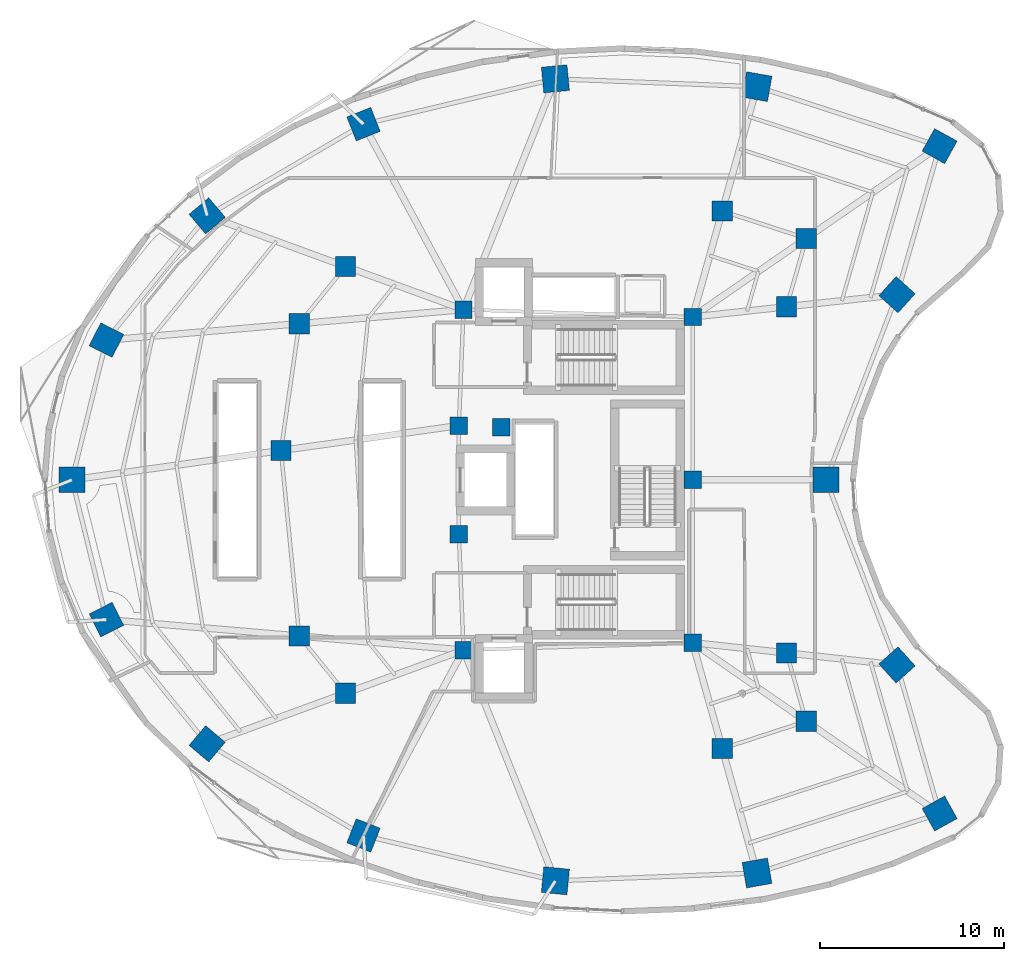
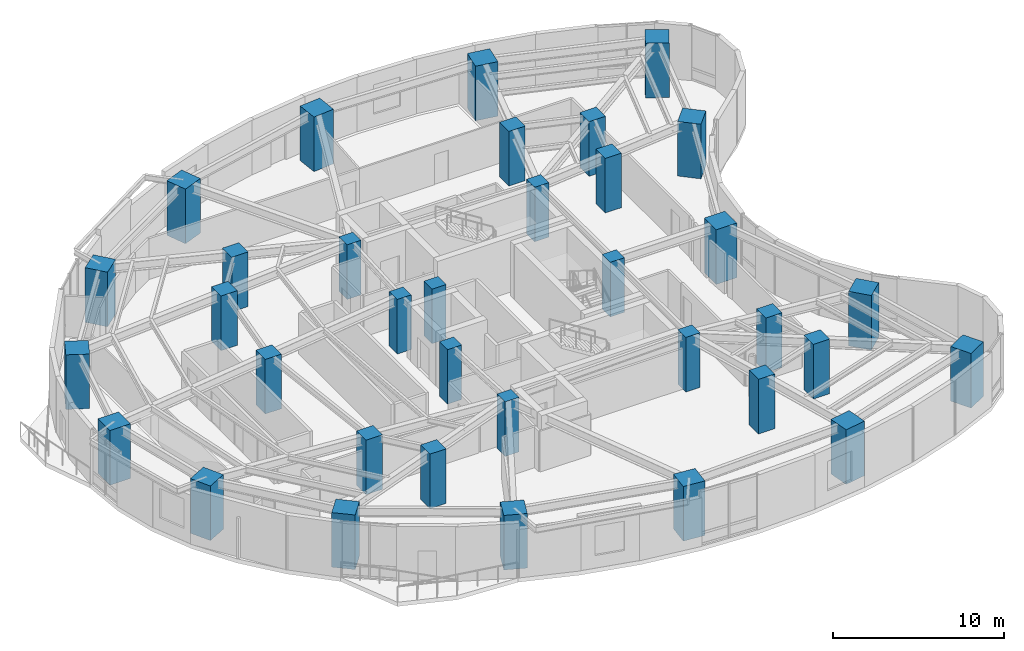
# One storey, part 1 of 13: 35 columns.
"""IFC4 building model written with IfcOpenShell, lengths in metres."""

from ifc_helpers import new_model, si_unit, direction, frame, origin, origin_2d, place, context, subcontext, project, spatial, rectangle, extrude, material, material_profile, profile_set, type_object, element, save


model = new_model("IFC4")

# Units and contexts
model_context = context("Model", 3, precision=1e-05, world=origin(), true_north=direction((0.0, 1.0)))
body_context = subcontext(model_context, "Body", "Model", "MODEL_VIEW")
ifc_project = project(units=[si_unit("LENGTHUNIT", "METRE"), si_unit("AREAUNIT", "SQUARE_METRE"), si_unit("VOLUMEUNIT", "CUBIC_METRE"), si_unit("PLANEANGLEUNIT", "RADIAN"), si_unit("MASSUNIT", "GRAM", prefix="KILO")], contexts=[model_context])

# Site, building, storey
site_placement = place(None, origin())
site = spatial("IfcSite", under=ifc_project, at=site_placement, CompositionType="ELEMENT")
building_placement = place(site_placement, origin())
building = spatial("IfcBuilding", under=site, at=building_placement, Name="Korentha Bioscience Tower", CompositionType="ELEMENT")
storey_placement = place(building_placement, frame((0.0, 0.0, 67.800048828125)))
storey = spatial("IfcBuildingStorey", under=building, at=storey_placement, Name="L15", CompositionType="ELEMENT", Elevation=67.800048828125)

# Columns
ifc_material_1 = material(Name="Concrete C65", Category="concrete")
ifc_material_profile_1 = material_profile(ifc_material_1, rectangle(XDim=0.949951171875, YDim=0.949951171875, at=origin_2d()), Name="Concrete C65")
ifc_profile_set_1 = profile_set([ifc_material_profile_1], Name="Concrete C65 (COL-CP09)")
column_type_1 = type_object("IfcColumnType", Name="Core Pilaster Column RC 950x950", PredefinedType="PILASTER", material=ifc_profile_set_1)
for number, where, z_axis, x_axis, name in (
    (1, (37.550048828125, 35.85009765625, -0.00048828125), (0.0, 0.0, 1.0), (1.0, 0.0, 0.0), "L15 Core Pilaster CP-01"),
    (2, (25.10009765625, 36.25, -0.00048828125), (0.0, 0.0, 1.0), (1.0, 0.0, 0.0), "L15 Core Pilaster CP-02"),
    (3, (24.85009765625, 29.949951171875, -0.00048828125), (0.0, 0.0, 1.0), (1.0, 0.0, 0.0), "L15 Core Pilaster CP-03"),
    (4, (27.14990234375, 29.85009765625, -0.00048828125), (0.0, 0.0, 1.0), (1.0, 0.0, 0.0), "L15 Core Pilaster CP-04"),
    (5, (24.85009765625, 24.050048828125, -0.00048828125), (0.0, 0.0, 1.0), (1.0, 0.0, 0.0), "L15 Core Pilaster CP-05"),
    (6, (25.10009765625, 17.75, -0.00048828125), (0.0, 0.0, 1.0), (1.0, 0.0, 0.0), "L15 Core Pilaster CP-06"),
    (7, (37.550048828125, 18.14990234375, -0.00048828125), (0.0, 0.0, 1.0), (1.0, 0.0, 0.0), "L15 Core Pilaster CP-07"),
    (8, (37.550048828125, 27.0, -0.00048828125), (0.0, 0.0, 1.0), (1.0, 0.0, 0.0), "L15 Core Pilaster CP-08"),
):
    element("IfcColumn", number, at=place(storey_placement, frame(where, z_axis=z_axis, x_axis=x_axis)), inside=storey, type_object=column_type_1, Name=name, PredefinedType="PILASTER", context=body_context, shape_type="SweptSolid", body=[
        extrude(rectangle(XDim=0.949951171875, YDim=0.949951171875, at=origin_2d()), origin(), (0.0, 0.0, 1.0), 3.90087890625),
    ])
ifc_material_2 = material(Name="Concrete C80", Category="concrete")
ifc_material_profile_2 = material_profile(ifc_material_2, rectangle(XDim=1.10009765625, YDim=1.10009765625, at=origin_2d()), Name="Concrete C80")
ifc_profile_set_2 = profile_set([ifc_material_profile_2], Name="Concrete C80 (COL-MR11)")
column_type_2 = type_object("IfcColumnType", Name="Mid-Ring Lab Column RC 1100x1100", PredefinedType="COLUMN", material=ifc_profile_set_2)
for number, where, z_axis, x_axis, name in (
    (9, (43.7265625, 40.121337890625, -0.00048828125), (0.0, 0.0, 1.0), (1.0, 0.0, 0.0), "L15 Mid-Ring Column 01"),
    (10, (39.1611328125, 41.607666015625, -0.00048828125), (0.0, 0.0, 1.0), (1.0, 0.0, 0.0), "L15 Mid-Ring Column 02"),
    (11, (18.692138671875, 38.5947265625, -0.00048828125), (0.0, 0.0, 1.0), (1.0, 0.0, 0.0), "L15 Mid-Ring Column 05"),
    (12, (16.174072265625, 35.489013671875, -0.00048828125), (0.0, 0.0, 1.0), (1.0, 0.0, 0.0), "L15 Mid-Ring Column 06"),
    (13, (15.1787109375, 28.593505859375, -0.00048828125), (0.0, 0.0, 1.0), (1.0, 0.0, 0.0), "L15 Mid-Ring Column 07"),
    (14, (16.174072265625, 18.510986328125, -0.00048828125), (0.0, 0.0, 1.0), (1.0, 0.0, 0.0), "L15 Mid-Ring Column 08"),
    (15, (18.692138671875, 15.4052734375, -0.00048828125), (0.0, 0.0, 1.0), (1.0, 0.0, 0.0), "L15 Mid-Ring Column 09"),
    (16, (39.1611328125, 12.392333984375, -0.00048828125), (0.0, 0.0, 1.0), (1.0, 0.0, 0.0), "L15 Mid-Ring Column 12"),
    (17, (43.7265625, 13.878662109375, -0.00048828125), (0.0, 0.0, 1.0), (1.0, 0.0, 0.0), "L15 Mid-Ring Column 13"),
    (18, (42.66162109375, 17.593017578125, -0.00048828125), (0.0, 0.0, 1.0), (1.0, 0.0, 0.0), "L15 Mid-Ring Column 14"),
    (19, (42.66162109375, 36.406982421875, -0.00048828125), (0.0, 0.0, 1.0), (1.0, 0.0, 0.0), "L15 Mid-Ring Column 16"),
):
    element("IfcColumn", number, at=place(storey_placement, frame(where, z_axis=z_axis, x_axis=x_axis)), inside=storey, type_object=column_type_2, Name=name, PredefinedType="COLUMN", context=body_context, shape_type="SweptSolid", body=[
        extrude(rectangle(XDim=1.10009765625, YDim=1.10009765625, at=origin_2d()), origin(), (0.0, 0.0, 1.0), 3.90087890625),
    ])
ifc_material_profile_3 = material_profile(ifc_material_2, rectangle(XDim=1.39990234375, YDim=1.39990234375, at=origin_2d()), Name="Concrete C80")
ifc_profile_set_3 = profile_set([ifc_material_profile_3], Name="Concrete C80 (COL-P14)")
column_type_3 = type_object("IfcColumnType", Name="Perimeter Column RC 1400x1400", PredefinedType="COLUMN", material=ifc_profile_set_3)
for number, where, z_axis, x_axis, name in (
    (20, (50.977294921875, 45.135498046875, -0.00048828125), (0.0, 0.0, 1.0), (-0.874535078577, 0.484962262797, 0.0), "L15 Perimeter Column 01"),
    (21, (41.052490234375, 48.36669921875, -0.00048828125), (0.0, 0.0, 1.0), (-0.984868307662, 0.173304404339, 0.0), "L15 Perimeter Column 02"),
    (22, (30.09423828125, 48.79248046875, -0.00048828125), (0.0, 0.0, 1.0), (0.995462868748, 0.095150811579, 0.0), "L15 Perimeter Column 03"),
    (23, (19.66650390625, 46.328857421875, -0.00048828125), (0.0, 0.0, 1.0), (0.930225540858, 0.366988341962, 0.0), "L15 Perimeter Column 04"),
    (24, (11.169921875, 41.34716796875, -0.00048828125), (0.0, 0.0, 1.0), (0.764246456939, 0.644924300253, 0.0), "L15 Perimeter Column 05"),
    (25, (5.69580078125, 34.595703125, -0.00048828125), (0.0, 0.0, 1.0), (0.453057191132, 0.891481453292, 0.0), "L15 Perimeter Column 06"),
    (26, (3.825439453125, 27.000732421875, -0.00048828125), (0.0, 0.0, 1.0), (0.0, 1.0, 0.0), "L15 Perimeter Column 07"),
    (27, (5.69580078125, 19.404296875, -0.00048828125), (0.0, 0.0, 1.0), (-0.453057191132, 0.891481453292, 0.0), "L15 Perimeter Column 08"),
    (28, (11.169921875, 12.65283203125, -0.00048828125), (0.0, 0.0, 1.0), (-0.764246456939, 0.644924300253, 0.0), "L15 Perimeter Column 09"),
    (29, (19.66650390625, 7.671142578125, -0.00048828125), (0.0, 0.0, 1.0), (-0.930225540858, 0.366988341962, 0.0), "L15 Perimeter Column 10"),
    (30, (30.09423828125, 5.20751953125, -0.00048828125), (0.0, 0.0, 1.0), (-0.995462868748, 0.095150811579, 0.0), "L15 Perimeter Column 11"),
    (31, (41.052490234375, 5.63330078125, -0.00048828125), (0.0, 0.0, 1.0), (0.984868307662, 0.173304404339, 0.0), "L15 Perimeter Column 12"),
    (32, (50.977294921875, 8.864501953125, -0.00048828125), (0.0, 0.0, 1.0), (0.874535078577, 0.484962262797, 0.0), "L15 Perimeter Column 13"),
    (33, (48.661865234375, 16.939208984375, -0.00048828125), (0.0, 0.0, 1.0), (-0.669130606359, 0.743144825477, 0.0), "L15 Perimeter Column 14"),
    (34, (44.798583984375, 27.0, -0.00048828125), (0.0, 0.0, 1.0), (0.0, 1.0, 0.0), "L15 Perimeter Column 15"),
    (35, (48.661865234375, 37.060791015625, -0.00048828125), (0.0, 0.0, 1.0), (0.669130606359, 0.743144825477, 0.0), "L15 Perimeter Column 16"),
):
    element("IfcColumn", number, at=place(storey_placement, frame(where, z_axis=z_axis, x_axis=x_axis)), inside=storey, type_object=column_type_3, Name=name, PredefinedType="COLUMN", context=body_context, shape_type="SweptSolid", body=[
        extrude(rectangle(XDim=1.39990234375, YDim=1.39990234375, at=origin_2d()), origin(), (0.0, 0.0, 1.0), 3.90087890625),
    ])

save(model, "model.ifc")
